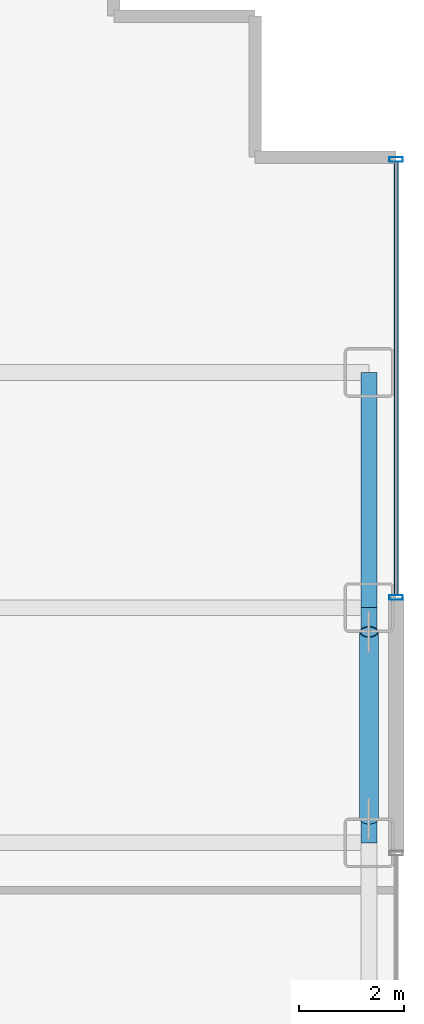
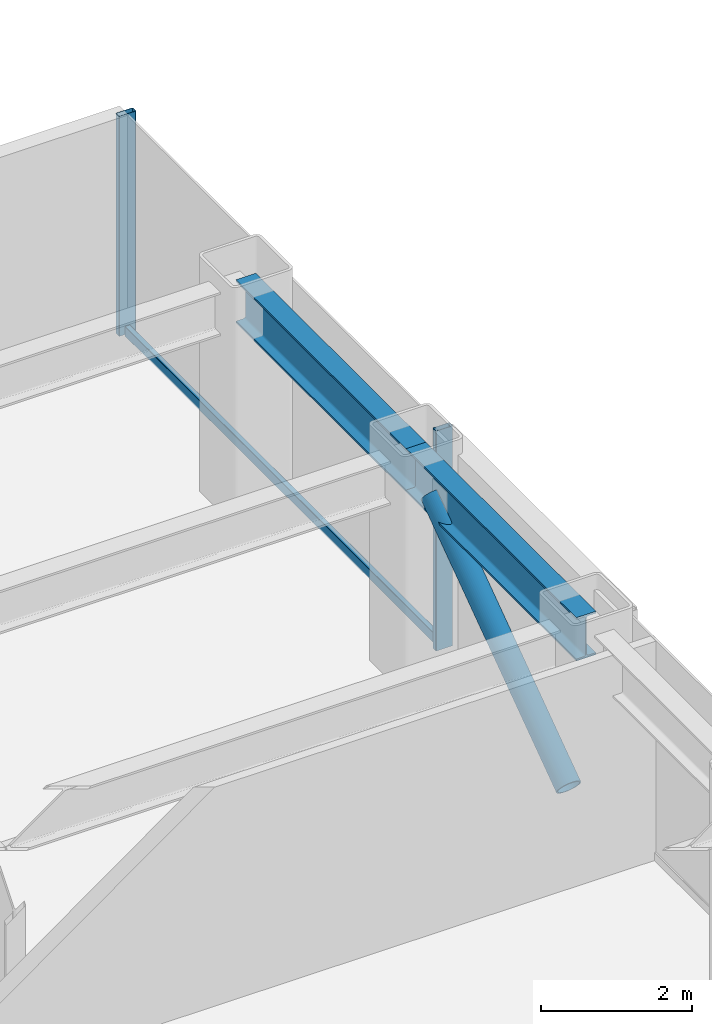
# One storey, part 19 of 28: 4 members, 2 beams, 1 element without a shape of its own.
"""IFC4 building model written with IfcOpenShell, lengths in metres."""

from ifc_helpers import new_model, si_unit, direction, frame, origin, origin_2d, place, context, subcontext, project, spatial, hollow_rectangle, hollow_circle, i_section, extrude, source, transform, mapped, material, layer, layer_set, material_profile, profile_set, type_object, element, aggregate, save


model = new_model("IFC4")

# Units and contexts
model_context = context("Model", 3, precision=1e-05, world=origin(), true_north=direction((0.0, 1.0)))
body_context = subcontext(model_context, "Body", "Model", "MODEL_VIEW")
ifc_project = project(units=[si_unit("LENGTHUNIT", "METRE"), si_unit("AREAUNIT", "SQUARE_METRE"), si_unit("VOLUMEUNIT", "CUBIC_METRE"), si_unit("PLANEANGLEUNIT", "RADIAN"), si_unit("MASSUNIT", "GRAM", prefix="KILO")], contexts=[model_context])

# Site, building, storey
site_placement = place(None, origin())
site = spatial("IfcSite", under=ifc_project, at=site_placement, CompositionType="ELEMENT")
building_placement = place(site_placement, origin())
building = spatial("IfcBuilding", under=site, at=building_placement, Name="Nefas-Gora Pilgrimage Tower", CompositionType="ELEMENT")
storey_placement = place(building_placement, frame((0.0, 0.0, 102.199951171875)))
storey = spatial("IfcBuildingStorey", under=building, at=storey_placement, Name="L24", CompositionType="ELEMENT", Elevation=102.199951171875)

# Beams
ifc_material_1 = material(Name="Steel S355", Category="steel")
ifc_material_profile_1 = material_profile(ifc_material_1, i_section(OverallWidth=0.300048828125, OverallDepth=0.699951171875, WebThickness=0.01708984375, FlangeThickness=0.031982421875, FilletRadius=0.027099609375, at=origin_2d()), Name="HEB 700")
ifc_profile_set_1 = profile_set([ifc_material_profile_1], Name="Steel S355")
beam_type = type_object("IfcBeamType", Name="BM-SPN-HEB600", PredefinedType="SPANDREL", material=ifc_profile_set_1)
shared_shape_1 = source(origin(), body_context, "Body", "SweptSolid", [
    extrude(i_section(OverallWidth=0.300048828125, OverallDepth=0.699951171875, WebThickness=0.01708984375, FlangeThickness=0.031982421875, FilletRadius=0.027099609375, at=origin_2d()), origin(), (0.0, 0.0, 1.0), 4.5),
])
for number, where, z_axis, x_axis, name in (
    (1, (33.75, 4.5, 3.199951171875), (0.0, 1.0, 0.0), (-1.0, 0.0, 0.0), "L24 SP-01 beam"),
    (2, (33.75, 9.0, 3.199951171875), (0.0, 1.0, 0.0), (-1.0, 0.0, 0.0), "L24 SP-01 beam"),
):
    element("IfcBeam", number, at=place(storey_placement, frame(where, z_axis=z_axis, x_axis=x_axis)), inside=storey, type_object=beam_type, Name=name, PredefinedType="SPANDREL", context=body_context, shape_type="MappedRepresentation", body=[
        mapped(shared_shape_1, transform((0.0, 0.0, 0.0), x_axis=(1.0, 0.0, 0.0), y_axis=(0.0, 1.0, 0.0), z_axis=(0.0, 0.0, 1.0), scale=1.0)),
    ])

# Member
ifc_material_2 = material(Name="Steel S460", Category="steel")
ifc_material_profile_2 = material_profile(ifc_material_2, hollow_circle(Radius=0.177734375, WallThickness=0.02001953125, at=origin_2d()), Name="CHS 355.6x20")
ifc_profile_set_2 = profile_set([ifc_material_profile_2], Name="Steel S460")
member_type_1 = type_object("IfcMemberType", Name="MEM-TUBE-356", PredefinedType="BRACE", material=ifc_profile_set_2)
shared_shape_2 = source(origin(), body_context, "Body", "SweptSolid", [
    extrude(hollow_circle(Radius=0.177734375, WallThickness=0.02001953125, at=origin_2d()), origin(), (0.0, 0.0, 1.0), 4.39501953125),
])
member_1_placement = place(storey_placement, frame((33.75, 4.962890625, 0.4814453125), z_axis=(0.0, 0.813264026864, 0.581894855287), x_axis=(-1.0, 0.0, 0.0)))
element("IfcMember", 3, at=member_1_placement, inside=storey, type_object=member_type_1, Name="L24 Perimeter Tube Diagonal Brace E2", PredefinedType="BRACE", context=body_context, shape_type="MappedRepresentation", body=[
    mapped(shared_shape_2, transform((0.0, 0.0, 0.0), x_axis=(1.0, 0.0, 0.0), y_axis=(0.0, 1.0, 0.0), z_axis=(0.0, 0.0, 1.0), scale=1.0)),
])

# Curtain wall, members
ifc_material_3 = material(Name="Dark ceramic-fritted solar-control aluminium-glass curtain wall", Category="aluminium")
ifc_layer = layer(ifc_material_3, 0.219970703125)
ifc_layer_set = layer_set([ifc_layer], Name="Dark ceramic-fritted solar-control aluminium-glass curtain wall")
curtain_wall_type = type_object("IfcCurtainWallType", Name="CW-SYS-2", PredefinedType="NOTDEFINED", material=ifc_layer_set)
curtain_wall_placement = place(storey_placement, origin())
curtain_wall = element("IfcCurtainWall", 4, at=curtain_wall_placement, inside=storey, type_object=curtain_wall_type, Name="L24 Unitised Curtain Wall CW2", PredefinedType="NOTDEFINED")
ifc_material_4 = material(Name="Anodised architectural aluminium", Category="aluminium")
ifc_material_profile_3 = material_profile(ifc_material_4, hollow_rectangle(XDim=0.090087890625, YDim=0.260009765625, WallThickness=0.006103515625, InnerFilletRadius=0.006103515625, OuterFilletRadius=0.011962890625, at=origin_2d()), Name="ALU MULLION 90x260")
ifc_profile_set_3 = profile_set([ifc_material_profile_3], Name="Anodised architectural aluminium")
member_type_2 = type_object("IfcMemberType", Name="CWM-MUL-2", PredefinedType="MULLION", material=ifc_profile_set_3)
shared_shape_3 = source(origin(), body_context, "Body", "SweptSolid", [
    extrude(hollow_rectangle(XDim=0.090087890625, YDim=0.260009765625, WallThickness=0.006103515625, InnerFilletRadius=0.006103515625, OuterFilletRadius=0.011962890625, at=origin_2d()), origin(), (0.0, 0.0, 1.0), 3.550048828125),
])
member_2_placement = place(storey_placement, frame((34.27001953125, 9.195068359375, 0.0), z_axis=(0.0, 0.0, 1.0), x_axis=(0.0, 1.0, 0.0)))
member_2 = element("IfcMember", 5, at=member_2_placement, type_object=member_type_2, Name="CW2 Mullion 1", PredefinedType="MULLION", context=body_context, shape_type="MappedRepresentation", body=[
    mapped(shared_shape_3, transform((0.0, 0.0, 0.0), x_axis=(1.0, 0.0, 0.0), y_axis=(0.0, 1.0, 0.0), z_axis=(0.0, 0.0, 1.0), scale=1.0)),
])
member_3_placement = place(storey_placement, frame((34.27001953125, 17.574951171875, 0.0), z_axis=(0.0, 0.0, 1.0), x_axis=(0.0, 1.0, 0.0)))
member_3 = element("IfcMember", 6, at=member_3_placement, type_object=member_type_2, Name="CW2 Mullion 2", PredefinedType="MULLION", context=body_context, shape_type="MappedRepresentation", body=[
    mapped(shared_shape_3, transform((0.0, 0.0, 0.0), x_axis=(1.0, 0.0, 0.0), y_axis=(0.0, 1.0, 0.0), z_axis=(0.0, 0.0, 1.0), scale=1.0)),
])
ifc_material_profile_4 = material_profile(ifc_material_4, hollow_rectangle(XDim=0.080078125, YDim=0.159912109375, WallThickness=0.00439453125, InnerFilletRadius=0.00439453125, OuterFilletRadius=0.009033203125, at=origin_2d()), Name="ALU TRANSOM 80x160")
ifc_profile_set_4 = profile_set([ifc_material_profile_4], Name="Anodised architectural aluminium")
member_type_3 = type_object("IfcMemberType", Name="CWM-TRN-2", PredefinedType="USERDEFINED", material=ifc_profile_set_4)
shared_shape_4 = source(origin(), body_context, "Body", "SweptSolid", [
    extrude(hollow_rectangle(XDim=0.080078125, YDim=0.159912109375, WallThickness=0.00439453125, InnerFilletRadius=0.00439453125, OuterFilletRadius=0.009033203125, at=origin_2d()), origin(), (0.0, 0.0, 1.0), 8.2900390625),
])
member_4_placement = place(storey_placement, frame((34.27001953125, 9.239990234375, 0.050048828125), z_axis=(0.0, 1.0, 0.0), x_axis=(-1.0, 0.0, 0.0)))
member_4 = element("IfcMember", 7, at=member_4_placement, type_object=member_type_3, Name="CW2 Spandrel Transom", ObjectType="TRANSOM", PredefinedType="USERDEFINED", context=body_context, shape_type="MappedRepresentation", body=[
    mapped(shared_shape_4, transform((0.0, 0.0, 0.0), x_axis=(1.0, 0.0, 0.0), y_axis=(0.0, 1.0, 0.0), z_axis=(0.0, 0.0, 1.0), scale=1.0)),
])
aggregate(curtain_wall, [member_2, member_3, member_4])

save(model, "model.ifc")
